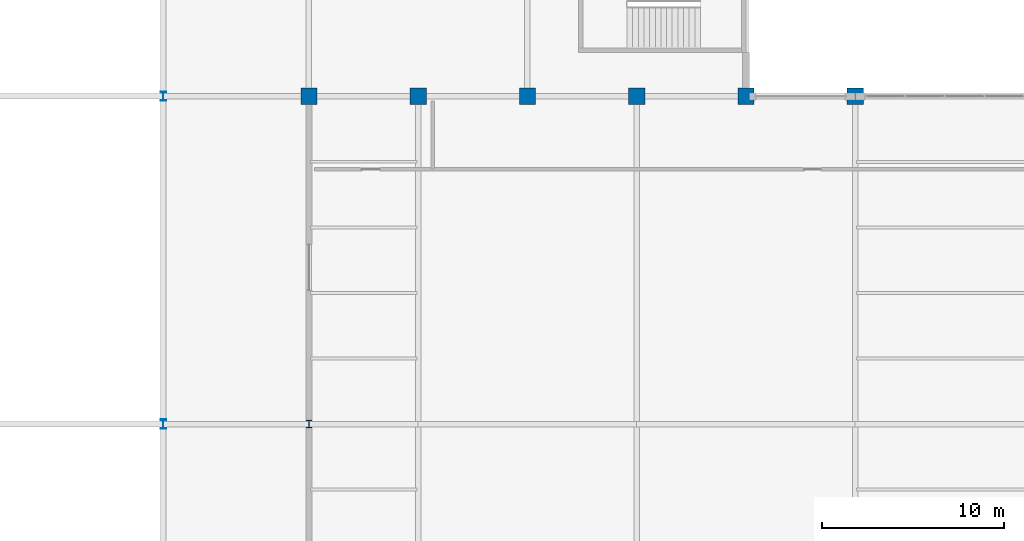
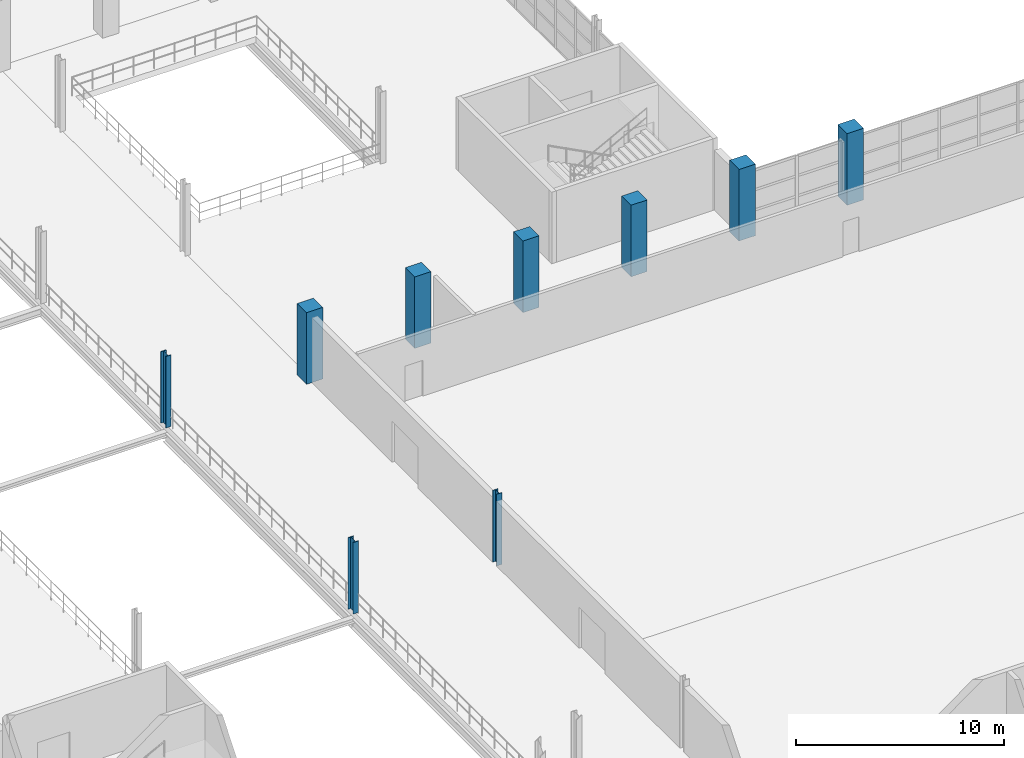
# One storey, part 6 of 158: 9 columns.
"""IFC4 building model written with IfcOpenShell, lengths in metres."""

from ifc_helpers import new_model, si_unit, direction, frame, origin, origin_2d, place, context, subcontext, project, spatial, rectangle, i_section, extrude, material, material_profile, profile_set, type_object, element, save


model = new_model("IFC4")

# Units and contexts
model_context = context("Model", 3, precision=1e-05, world=origin(), true_north=direction((0.0, 1.0)))
body_context = subcontext(model_context, "Body", "Model", "MODEL_VIEW")
ifc_project = project(units=[si_unit("LENGTHUNIT", "METRE"), si_unit("AREAUNIT", "SQUARE_METRE"), si_unit("VOLUMEUNIT", "CUBIC_METRE"), si_unit("PLANEANGLEUNIT", "RADIAN"), si_unit("MASSUNIT", "GRAM", prefix="KILO")], contexts=[model_context])

# Site, building, storey
site_placement = place(None, origin())
site = spatial("IfcSite", under=ifc_project, at=site_placement, CompositionType="ELEMENT")
building_placement = place(site_placement, origin())
building = spatial("IfcBuilding", under=site, at=building_placement, Name="Zilviju Railside Exhibition Hall", CompositionType="ELEMENT")
storey_placement = place(building_placement, frame((0.0, 0.0, 4.199951171875)))
storey = spatial("IfcBuildingStorey", under=building, at=storey_placement, Name="L02", CompositionType="ELEMENT", Elevation=4.199951171875)

# Columns
ifc_material_1 = material(Name="Concrete C40/50", Category="concrete")
ifc_material_profile_1 = material_profile(ifc_material_1, rectangle(XDim=0.89990234375, YDim=0.89990234375, at=origin_2d()), Name="RC COL 900x900")
ifc_profile_set_1 = profile_set([ifc_material_profile_1], Name="Concrete C40/50")
column_type_1 = type_object("IfcColumnType", Name="COL-RC-900", PredefinedType="COLUMN", material=ifc_profile_set_1)
for number, where, z_axis, x_axis, name in (
    (1, (78.0, 54.0, 0.0), (0.0, 0.0, 1.0), (1.0, 0.0, 0.0), "Structural Column L02 (78.0, 54.0)"),
    (2, (84.0, 54.0, 0.0), (0.0, 0.0, 1.0), (1.0, 0.0, 0.0), "Structural Column L02 (84.0, 54.0)"),
    (3, (90.0, 54.0, 0.0), (0.0, 0.0, 1.0), (1.0, 0.0, 0.0), "Structural Column L02 (90.0, 54.0)"),
    (4, (96.0, 54.0, 0.0), (0.0, 0.0, 1.0), (1.0, 0.0, 0.0), "Structural Column L02 (96.0, 54.0)"),
    (5, (102.0, 54.0, 0.0), (0.0, 0.0, 1.0), (1.0, 0.0, 0.0), "Structural Column L02 (102.0, 54.0)"),
    (6, (108.0, 54.0, 0.0), (0.0, 0.0, 1.0), (1.0, 0.0, 0.0), "Structural Column L02 (108.0, 54.0)"),
):
    element("IfcColumn", number, at=place(storey_placement, frame(where, z_axis=z_axis, x_axis=x_axis)), inside=storey, type_object=column_type_1, Name=name, PredefinedType="COLUMN", context=body_context, shape_type="SweptSolid", body=[
        extrude(rectangle(XDim=0.89990234375, YDim=0.89990234375, at=origin_2d()), origin(), (0.0, 0.0, 1.0), 4.199951171875),
    ])
ifc_material_2 = material(Name="Steel S355J2", Category="steel")
ifc_material_profile_2 = material_profile(ifc_material_2, i_section(OverallWidth=0.300048828125, OverallDepth=0.39990234375, WebThickness=0.013427734375, FlangeThickness=0.02392578125, at=origin_2d()), Name="HEB 400")
ifc_profile_set_2 = profile_set([ifc_material_profile_2], Name="Steel S355J2")
column_type_2 = type_object("IfcColumnType", Name="COL-ST-HEB400", PredefinedType="COLUMN", material=ifc_profile_set_2)
column_placement = place(storey_placement, frame((78.0, 36.0, 0.0), z_axis=(0.0, 0.0, 1.0), x_axis=(1.0, 0.0, 0.0)))
element("IfcColumn", 7, at=column_placement, inside=storey, type_object=column_type_2, Name="Structural Column L02 (78.0, 36.0)", PredefinedType="COLUMN", context=body_context, shape_type="SweptSolid", body=[
    extrude(i_section(OverallWidth=0.300048828125, OverallDepth=0.39990234375, WebThickness=0.013427734375, FlangeThickness=0.02392578125, at=origin_2d()), origin(), (0.0, 0.0, 1.0), 4.199951171875),
])
ifc_material_profile_3 = material_profile(ifc_material_2, i_section(OverallWidth=0.300048828125, OverallDepth=0.5, WebThickness=0.014404296875, FlangeThickness=0.028076171875, at=origin_2d()), Name="HEB 500")
ifc_profile_set_3 = profile_set([ifc_material_profile_3], Name="Steel S355J2")
column_type_3 = type_object("IfcColumnType", Name="COL-ST-HEB500", PredefinedType="COLUMN", material=ifc_profile_set_3)
for number, where, z_axis, x_axis, name in (
    (8, (70.0, 36.0, 0.0), (0.0, 0.0, 1.0), (1.0, 0.0, 0.0), "Structural Column L02 (70.0, 36.0)"),
    (9, (70.0, 54.0, 0.0), (0.0, 0.0, 1.0), (1.0, 0.0, 0.0), "Structural Column L02 (70.0, 54.0)"),
):
    element("IfcColumn", number, at=place(storey_placement, frame(where, z_axis=z_axis, x_axis=x_axis)), inside=storey, type_object=column_type_3, Name=name, PredefinedType="COLUMN", context=body_context, shape_type="SweptSolid", body=[
        extrude(i_section(OverallWidth=0.300048828125, OverallDepth=0.5, WebThickness=0.014404296875, FlangeThickness=0.028076171875, at=origin_2d()), origin(), (0.0, 0.0, 1.0), 4.199951171875),
    ])

save(model, "model.ifc")
